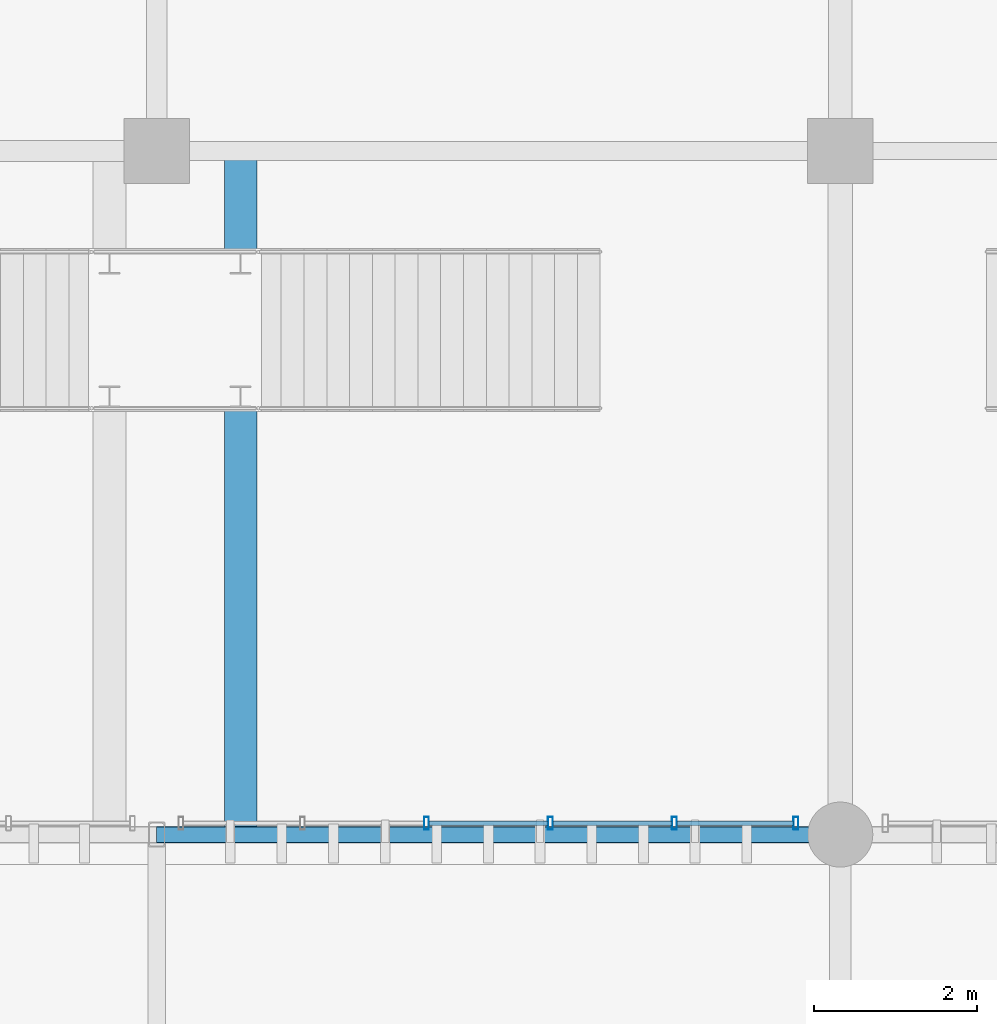
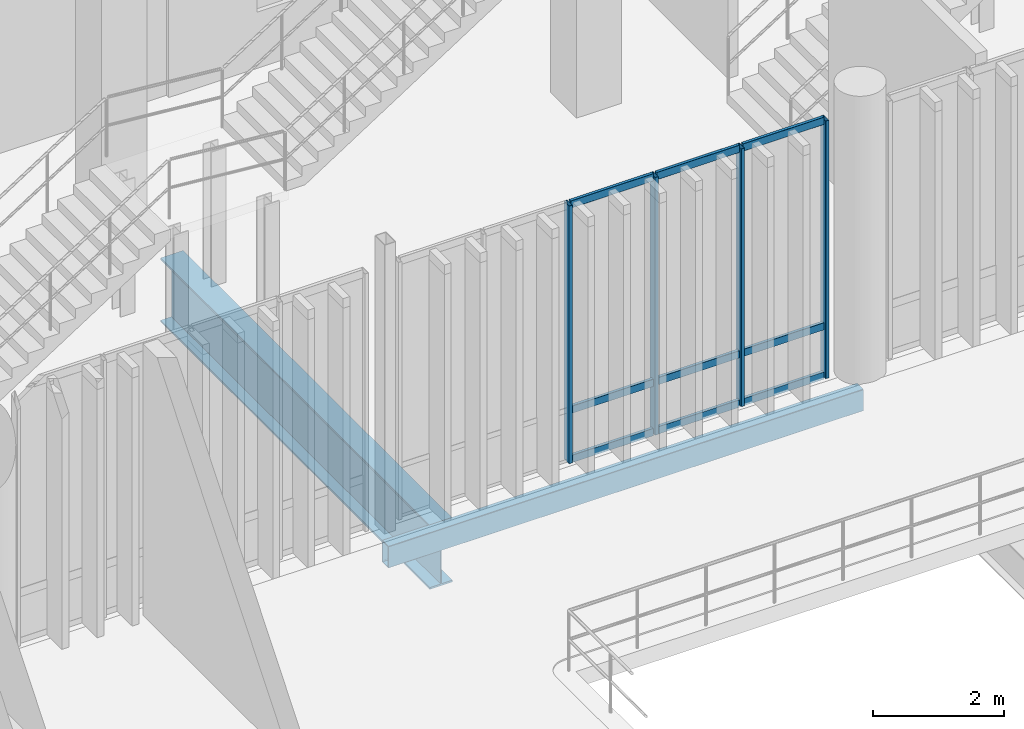
# One storey, part 16 of 128: 13 members, 2 beams, 1 element without a shape of its own.
"""IFC4 building model written with IfcOpenShell, lengths in metres."""

from ifc_helpers import new_model, si_unit, direction, frame, origin_with_axes, origin_2d_with_axis, place, context, subcontext, project, spatial, hollow_rectangle, i_section, extrude, material, material_profile, profile_set, type_object, element, aggregate, save


model = new_model("IFC4")

# Units and contexts
model_context = context("Model", 3, precision=1e-05, world=origin_with_axes(), true_north=direction((0.0, 1.0)))
body_context = subcontext(model_context, "Body", "Model", "MODEL_VIEW")
ifc_project = project(units=[si_unit("LENGTHUNIT", "METRE"), si_unit("AREAUNIT", "SQUARE_METRE"), si_unit("VOLUMEUNIT", "CUBIC_METRE"), si_unit("PLANEANGLEUNIT", "RADIAN"), si_unit("MASSUNIT", "GRAM", prefix="KILO"), si_unit("THERMODYNAMICTEMPERATUREUNIT", "KELVIN")], contexts=[model_context])

# Site, building, storey
site_placement = place(None, origin_with_axes())
site = spatial("IfcSite", under=ifc_project, at=site_placement, CompositionType="ELEMENT")
building_placement = place(site_placement, origin_with_axes())
building = spatial("IfcBuilding", under=site, at=building_placement, Name="Montbau Bow Law Courts", CompositionType="ELEMENT")
storey_placement = place(building_placement, frame((0.0, 0.0, 5.4), z_axis=(0.0, 0.0, 1.0), x_axis=(1.0, 0.0, 0.0)))
storey = spatial("IfcBuildingStorey", under=building, at=storey_placement, Name="L01", CompositionType="ELEMENT", Elevation=5.4)

# Beams
ifc_material_1 = material(Name="Steel CSA G40.21 Grade 350WT (350 MPa)", Category="steel")
ifc_material_profile_1 = material_profile(ifc_material_1, hollow_rectangle(XDim=0.203, YDim=0.406, WallThickness=0.0127, InnerFilletRadius=0.0254, OuterFilletRadius=0.0127, at=origin_2d_with_axis()), Name="HSS406X203X13", Category="Main", Priority=0)
ifc_profile_set_1 = profile_set([ifc_material_profile_1], Name="Steel CSA G40.21 Grade 350WT (350 MPa)")
beam_type_1 = type_object("IfcBeamType", Name="B-SPN-01", PredefinedType="SPANDREL", material=ifc_profile_set_1)
beam_1_placement = place(None, frame((13.8, 30.6, 4.897), z_axis=(1.0, 0.0, 0.0), x_axis=(0.0, 1.0, 0.0)))
element("IfcBeam", 1, at=beam_1_placement, inside=storey, type_object=beam_type_1, Name="SPN-L01-S0501:bm2_0504", PredefinedType="SPANDREL", context=body_context, shape_type="SweptSolid", body=[
    extrude(hollow_rectangle(XDim=0.203, YDim=0.406, WallThickness=0.0127, InnerFilletRadius=0.0254, OuterFilletRadius=0.0127, at=origin_2d_with_axis()), origin_with_axes(), (0.0, 0.0, 1.0), 8.4),
])
ifc_material_2 = material(Name="Steel CSA G40.21 Grade 350W (350 MPa)", Category="steel")
ifc_material_profile_2 = material_profile(ifc_material_2, i_section(OverallWidth=0.4, OverallDepth=1.2, WebThickness=0.016, FlangeThickness=0.035, at=origin_2d_with_axis()), Name="WWF1200X302", Category="Main", Priority=0)
ifc_profile_set_2 = profile_set([ifc_material_profile_2], Name="Steel CSA G40.21 Grade 350W (350 MPa)")
beam_type_2 = type_object("IfcBeamType", Name="B-TRG-05", PredefinedType="USERDEFINED", material=ifc_profile_set_2)
beam_2_placement = place(None, frame((14.83, 30.675, 4.5), z_axis=(0.0, 1.0, 0.0), x_axis=(-1.0, 0.0, 0.0)))
element("IfcBeam", 2, at=beam_2_placement, inside=storey, type_object=beam_type_2, Name="TRG-L01-S1811:bm2_1814", ObjectType="GIRDER", PredefinedType="USERDEFINED", context=body_context, shape_type="SweptSolid", body=[
    extrude(i_section(OverallWidth=0.4, OverallDepth=1.2, WebThickness=0.016, FlangeThickness=0.035, at=origin_2d_with_axis()), origin_with_axes(), (0.0, 0.0, 1.0), 8.25),
])

# Curtain wall, members
ifc_material_3 = material(Name="Thermally Broken Extruded Aluminium AA 6063-T6", Category="aluminium")
curtain_wall_type = type_object("IfcCurtainWallType", Name="CW-TRC-01", PredefinedType="NOTDEFINED", material=ifc_material_3)
curtain_wall_placement = place(None, frame((14.068, 30.74, 5.4), z_axis=(0.0, 0.0, 1.0), x_axis=(1.0, 0.0, 0.0)))
curtain_wall = element("IfcCurtainWall", 3, at=curtain_wall_placement, inside=storey, type_object=curtain_wall_type, Name="CW-L01-017:cw_0017", PredefinedType="NOTDEFINED")
ifc_material_profile_3 = material_profile(ifc_material_3, hollow_rectangle(XDim=0.06, YDim=0.16, WallThickness=0.004, InnerFilletRadius=0.008, OuterFilletRadius=0.004, at=origin_2d_with_axis()), Name="CWM-160X60", Category="Main", Priority=0)
ifc_profile_set_3 = profile_set([ifc_material_profile_3], Name="Thermally Broken Extruded Aluminium AA 6063-T6")
member_type_1 = type_object("IfcMemberType", Name="M-MUL-03", PredefinedType="MULLION", material=ifc_profile_set_3)
member_1_placement = place(None, frame((17.115, 30.74, 5.4), z_axis=(0.0, 0.0, 1.0), x_axis=(1.0, 0.0, 0.0)))
member_1 = element("IfcMember", 4, at=member_1_placement, type_object=member_type_1, Name="CW-L01-017-M03:cw_0017_M03", PredefinedType="MULLION", context=body_context, shape_type="SweptSolid", body=[
    extrude(hollow_rectangle(XDim=0.06, YDim=0.16, WallThickness=0.004, InnerFilletRadius=0.008, OuterFilletRadius=0.004, at=origin_2d_with_axis()), origin_with_axes(), (0.0, 0.0, 1.0), 4.82),
])
member_2_placement = place(None, frame((18.638, 30.74, 5.4), z_axis=(0.0, 0.0, 1.0), x_axis=(1.0, 0.0, 0.0)))
member_2 = element("IfcMember", 5, at=member_2_placement, type_object=member_type_1, Name="CW-L01-017-M04:cw_0017_M04", PredefinedType="MULLION", context=body_context, shape_type="SweptSolid", body=[
    extrude(hollow_rectangle(XDim=0.06, YDim=0.16, WallThickness=0.004, InnerFilletRadius=0.008, OuterFilletRadius=0.004, at=origin_2d_with_axis()), origin_with_axes(), (0.0, 0.0, 1.0), 4.82),
])
member_3_placement = place(None, frame((20.162, 30.74, 5.4), z_axis=(0.0, 0.0, 1.0), x_axis=(1.0, 0.0, 0.0)))
member_3 = element("IfcMember", 6, at=member_3_placement, type_object=member_type_1, Name="CW-L01-017-M05:cw_0017_M05", PredefinedType="MULLION", context=body_context, shape_type="SweptSolid", body=[
    extrude(hollow_rectangle(XDim=0.06, YDim=0.16, WallThickness=0.004, InnerFilletRadius=0.008, OuterFilletRadius=0.004, at=origin_2d_with_axis()), origin_with_axes(), (0.0, 0.0, 1.0), 4.82),
])
member_4_placement = place(None, frame((21.655, 30.74, 5.4), z_axis=(0.0, 0.0, 1.0), x_axis=(1.0, 0.0, 0.0)))
member_4 = element("IfcMember", 7, at=member_4_placement, type_object=member_type_1, Name="CW-L01-017-M06:cw_0017_M06", PredefinedType="MULLION", context=body_context, shape_type="SweptSolid", body=[
    extrude(hollow_rectangle(XDim=0.06, YDim=0.16, WallThickness=0.004, InnerFilletRadius=0.008, OuterFilletRadius=0.004, at=origin_2d_with_axis()), origin_with_axes(), (0.0, 0.0, 1.0), 4.82),
])
ifc_material_profile_4 = material_profile(ifc_material_3, hollow_rectangle(XDim=0.055, YDim=0.14, WallThickness=0.004, InnerFilletRadius=0.008, OuterFilletRadius=0.004, at=origin_2d_with_axis()), Name="CWT-140X55", Category="Main", Priority=0)
ifc_profile_set_4 = profile_set([ifc_material_profile_4], Name="Thermally Broken Extruded Aluminium AA 6063-T6")
member_type_2 = type_object("IfcMemberType", Name="M-TRN-02", PredefinedType="USERDEFINED", material=ifc_profile_set_4)
member_5_placement = place(None, frame((17.147, 30.74, 5.428), z_axis=(1.0, 0.0, 0.0), x_axis=(0.0, 1.0, 0.0)))
member_5 = element("IfcMember", 8, at=member_5_placement, type_object=member_type_2, Name="CW-L01-017-T03-1:cw_0017_T03_1", ObjectType="TRANSOM", PredefinedType="USERDEFINED", context=body_context, shape_type="SweptSolid", body=[
    extrude(hollow_rectangle(XDim=0.055, YDim=0.14, WallThickness=0.004, InnerFilletRadius=0.008, OuterFilletRadius=0.004, at=origin_2d_with_axis()), origin_with_axes(), (0.0, 0.0, 1.0), 1.459),
])
member_6_placement = place(None, frame((17.147, 30.74, 6.35), z_axis=(1.0, 0.0, 0.0), x_axis=(0.0, 1.0, 0.0)))
member_6 = element("IfcMember", 9, at=member_6_placement, type_object=member_type_2, Name="CW-L01-017-T03-2:cw_0017_T03_2", ObjectType="TRANSOM", PredefinedType="USERDEFINED", context=body_context, shape_type="SweptSolid", body=[
    extrude(hollow_rectangle(XDim=0.055, YDim=0.14, WallThickness=0.004, InnerFilletRadius=0.008, OuterFilletRadius=0.004, at=origin_2d_with_axis()), origin_with_axes(), (0.0, 0.0, 1.0), 1.459),
])
member_7_placement = place(None, frame((17.147, 30.74, 10.193), z_axis=(1.0, 0.0, 0.0), x_axis=(0.0, 1.0, 0.0)))
member_7 = element("IfcMember", 10, at=member_7_placement, type_object=member_type_2, Name="CW-L01-017-T03-3:cw_0017_T03_3", ObjectType="TRANSOM", PredefinedType="USERDEFINED", context=body_context, shape_type="SweptSolid", body=[
    extrude(hollow_rectangle(XDim=0.055, YDim=0.14, WallThickness=0.004, InnerFilletRadius=0.008, OuterFilletRadius=0.004, at=origin_2d_with_axis()), origin_with_axes(), (0.0, 0.0, 1.0), 1.459),
])
member_8_placement = place(None, frame((18.67, 30.74, 5.428), z_axis=(1.0, 0.0, 0.0), x_axis=(0.0, 1.0, 0.0)))
member_8 = element("IfcMember", 11, at=member_8_placement, type_object=member_type_2, Name="CW-L01-017-T04-1:cw_0017_T04_1", ObjectType="TRANSOM", PredefinedType="USERDEFINED", context=body_context, shape_type="SweptSolid", body=[
    extrude(hollow_rectangle(XDim=0.055, YDim=0.14, WallThickness=0.004, InnerFilletRadius=0.008, OuterFilletRadius=0.004, at=origin_2d_with_axis()), origin_with_axes(), (0.0, 0.0, 1.0), 1.46),
])
member_9_placement = place(None, frame((18.67, 30.74, 6.35), z_axis=(1.0, 0.0, 0.0), x_axis=(0.0, 1.0, 0.0)))
member_9 = element("IfcMember", 12, at=member_9_placement, type_object=member_type_2, Name="CW-L01-017-T04-2:cw_0017_T04_2", ObjectType="TRANSOM", PredefinedType="USERDEFINED", context=body_context, shape_type="SweptSolid", body=[
    extrude(hollow_rectangle(XDim=0.055, YDim=0.14, WallThickness=0.004, InnerFilletRadius=0.008, OuterFilletRadius=0.004, at=origin_2d_with_axis()), origin_with_axes(), (0.0, 0.0, 1.0), 1.46),
])
member_10_placement = place(None, frame((18.67, 30.74, 10.193), z_axis=(1.0, 0.0, 0.0), x_axis=(0.0, 1.0, 0.0)))
member_10 = element("IfcMember", 13, at=member_10_placement, type_object=member_type_2, Name="CW-L01-017-T04-3:cw_0017_T04_3", ObjectType="TRANSOM", PredefinedType="USERDEFINED", context=body_context, shape_type="SweptSolid", body=[
    extrude(hollow_rectangle(XDim=0.055, YDim=0.14, WallThickness=0.004, InnerFilletRadius=0.008, OuterFilletRadius=0.004, at=origin_2d_with_axis()), origin_with_axes(), (0.0, 0.0, 1.0), 1.46),
])
member_11_placement = place(None, frame((20.194, 30.74, 5.428), z_axis=(1.0, 0.0, 0.0), x_axis=(0.0, 1.0, 0.0)))
member_11 = element("IfcMember", 14, at=member_11_placement, type_object=member_type_2, Name="CW-L01-017-T05-1:cw_0017_T05_1", ObjectType="TRANSOM", PredefinedType="USERDEFINED", context=body_context, shape_type="SweptSolid", body=[
    extrude(hollow_rectangle(XDim=0.055, YDim=0.14, WallThickness=0.004, InnerFilletRadius=0.008, OuterFilletRadius=0.004, at=origin_2d_with_axis()), origin_with_axes(), (0.0, 0.0, 1.0), 1.429),
])
member_12_placement = place(None, frame((20.194, 30.74, 6.35), z_axis=(1.0, 0.0, 0.0), x_axis=(0.0, 1.0, 0.0)))
member_12 = element("IfcMember", 15, at=member_12_placement, type_object=member_type_2, Name="CW-L01-017-T05-2:cw_0017_T05_2", ObjectType="TRANSOM", PredefinedType="USERDEFINED", context=body_context, shape_type="SweptSolid", body=[
    extrude(hollow_rectangle(XDim=0.055, YDim=0.14, WallThickness=0.004, InnerFilletRadius=0.008, OuterFilletRadius=0.004, at=origin_2d_with_axis()), origin_with_axes(), (0.0, 0.0, 1.0), 1.429),
])
member_13_placement = place(None, frame((20.194, 30.74, 10.193), z_axis=(1.0, 0.0, 0.0), x_axis=(0.0, 1.0, 0.0)))
member_13 = element("IfcMember", 16, at=member_13_placement, type_object=member_type_2, Name="CW-L01-017-T05-3:cw_0017_T05_3", ObjectType="TRANSOM", PredefinedType="USERDEFINED", context=body_context, shape_type="SweptSolid", body=[
    extrude(hollow_rectangle(XDim=0.055, YDim=0.14, WallThickness=0.004, InnerFilletRadius=0.008, OuterFilletRadius=0.004, at=origin_2d_with_axis()), origin_with_axes(), (0.0, 0.0, 1.0), 1.429),
])
aggregate(curtain_wall, [member_1, member_2, member_3, member_4, member_5, member_6, member_7, member_8, member_9, member_10, member_11, member_12, member_13])

save(model, "model.ifc")
